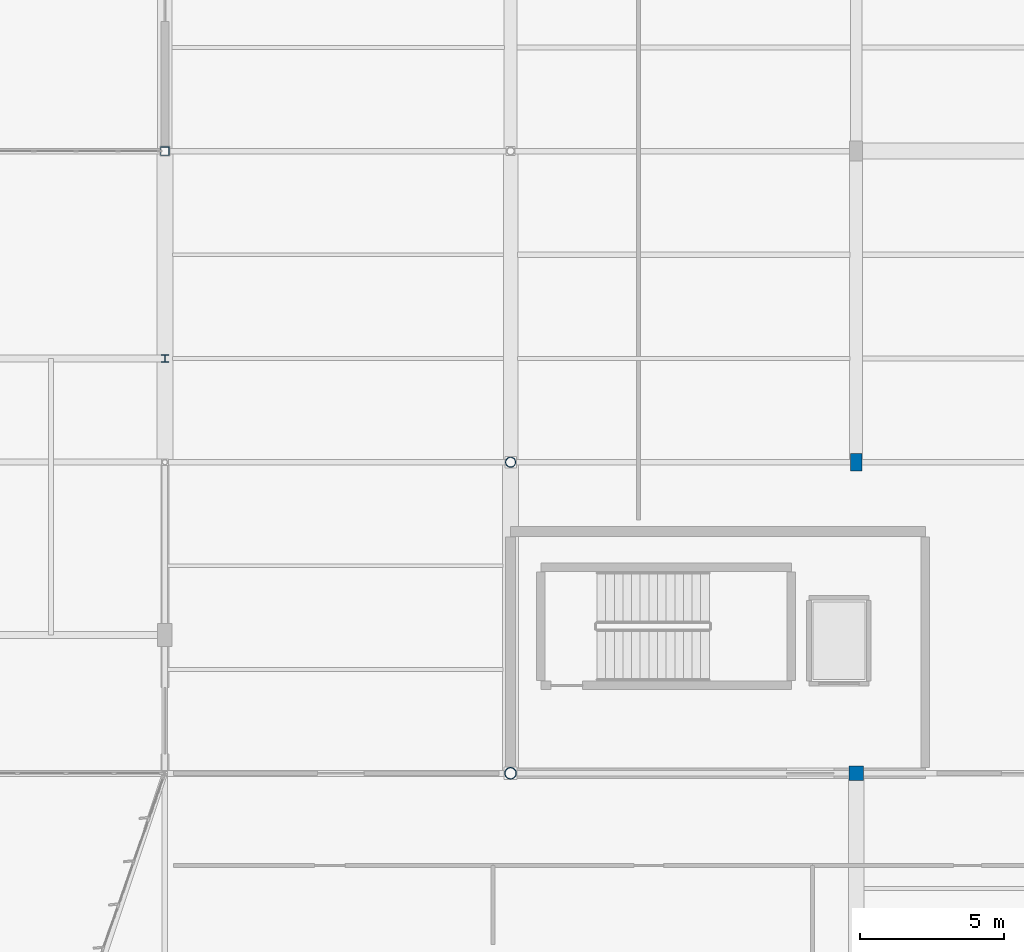
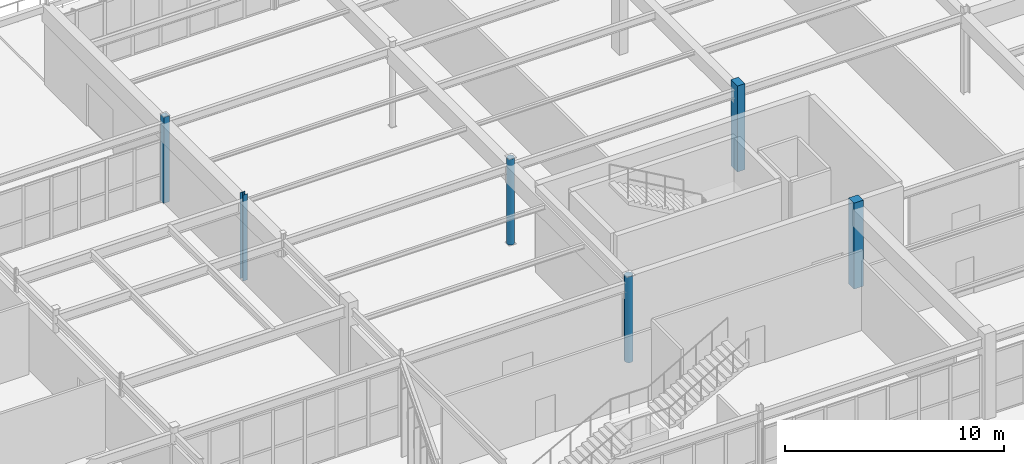
# One storey, part 57 of 199: 6 columns.
"""IFC4 building model written with IfcOpenShell, lengths in metres."""

from ifc_helpers import new_model, si_unit, direction, frame, origin, origin_2d, place, context, subcontext, project, spatial, rectangle, hollow_rectangle, hollow_circle, i_section, extrude, material, material_profile, profile_set, type_object, element, save


model = new_model("IFC4")

# Units and contexts
model_context = context("Model", 3, precision=1e-05, world=origin(), true_north=direction((0.0, 1.0)))
body_context = subcontext(model_context, "Body", "Model", "MODEL_VIEW")
ifc_project = project(units=[si_unit("LENGTHUNIT", "METRE"), si_unit("AREAUNIT", "SQUARE_METRE"), si_unit("VOLUMEUNIT", "CUBIC_METRE"), si_unit("PLANEANGLEUNIT", "RADIAN"), si_unit("MASSUNIT", "GRAM", prefix="KILO")], contexts=[model_context])

# Site, building, storey
site_placement = place(None, origin())
site = spatial("IfcSite", under=ifc_project, at=site_placement, CompositionType="ELEMENT")
building_placement = place(site_placement, origin())
building = spatial("IfcBuilding", under=site, at=building_placement, Name="Tarnwether General Hospital", CompositionType="ELEMENT")
storey_placement = place(building_placement, origin())
storey = spatial("IfcBuildingStorey", under=building, at=storey_placement, Name="L00", CompositionType="ELEMENT", Elevation=0.0)

# Columns
ifc_material_1 = material(Name="Steel Grade C350L0 (350 MPa)", Category="steel")
ifc_material_profile_1 = material_profile(ifc_material_1, hollow_circle(Radius=0.203125, WallThickness=0.01611328125, at=origin_2d()), Name="CHS406.4x16.0")
ifc_profile_set_1 = profile_set([ifc_material_profile_1], Name="Steel Grade C350L0 (350 MPa)")
column_type_1 = type_object("IfcColumnType", Name="COL-10", PredefinedType="COLUMN", material=ifc_profile_set_1)
column_1_placement = place(storey_placement, frame((156.0, 93.60009765625, 0.0), z_axis=(0.0, 0.0, 1.0), x_axis=(0.0, 1.0, 0.0)))
element("IfcColumn", 1, at=column_1_placement, inside=storey, type_object=column_type_1, Name="Column COLG-L00-15600_9360", PredefinedType="COLUMN", context=body_context, shape_type="SweptSolid", body=[
    extrude(hollow_circle(Radius=0.203125, WallThickness=0.01611328125, at=origin_2d()), origin(), (0.0, 0.0, 1.0), 4.800048828125),
])
ifc_material_2 = material(Name="Steel Grade C350L0 (350 MPa)", Category="steel")
ifc_material_profile_2 = material_profile(ifc_material_2, hollow_circle(Radius=0.177734375, WallThickness=0.0126953125, at=origin_2d()), Name="CHS355.6x12.7")
ifc_profile_set_2 = profile_set([ifc_material_profile_2], Name="Steel Grade C350L0 (350 MPa)")
column_type_2 = type_object("IfcColumnType", Name="COL-11", PredefinedType="COLUMN", material=ifc_profile_set_2)
column_2_placement = place(storey_placement, frame((156.0, 104.39990234375, 0.0), z_axis=(0.0, 0.0, 1.0), x_axis=(0.0, 1.0, 0.0)))
element("IfcColumn", 2, at=column_2_placement, inside=storey, type_object=column_type_2, Name="Column COLG-L00-15600_10440", PredefinedType="COLUMN", context=body_context, shape_type="SweptSolid", body=[
    extrude(hollow_circle(Radius=0.177734375, WallThickness=0.0126953125, at=origin_2d()), origin(), (0.0, 0.0, 1.0), 4.800048828125),
])
ifc_material_3 = material(Name="Concrete 50 MPa", Category="concrete")
ifc_material_profile_3 = material_profile(ifc_material_3, rectangle(XDim=0.5, YDim=0.5, at=origin_2d()), Name="RC-COL-500x500")
ifc_profile_set_3 = profile_set([ifc_material_profile_3], Name="Concrete 50 MPa")
column_type_3 = type_object("IfcColumnType", Name="COL-20", PredefinedType="COLUMN", material=ifc_profile_set_3)
column_3_placement = place(storey_placement, frame((168.0, 93.60009765625, 0.0), z_axis=(0.0, 0.0, 1.0), x_axis=(1.0, 0.0, 0.0)))
element("IfcColumn", 3, at=column_3_placement, inside=storey, type_object=column_type_3, Name="Column COLG-L00-16800_9360", PredefinedType="COLUMN", context=body_context, shape_type="SweptSolid", body=[
    extrude(rectangle(XDim=0.5, YDim=0.5, at=origin_2d()), origin(), (0.0, 0.0, 1.0), 4.800048828125),
])
ifc_material_4 = material(Name="Concrete 50 MPa", Category="concrete")
ifc_material_profile_4 = material_profile(ifc_material_4, rectangle(XDim=0.39990234375, YDim=0.60009765625, at=origin_2d()), Name="RC-PIL-400x600")
ifc_profile_set_4 = profile_set([ifc_material_profile_4], Name="Concrete 50 MPa")
column_type_4 = type_object("IfcColumnType", Name="COL-21", PredefinedType="PILASTER", material=ifc_profile_set_4)
column_4_placement = place(storey_placement, frame((168.0, 104.39990234375, 0.0), z_axis=(0.0, 0.0, 1.0), x_axis=(1.0, 0.0, 0.0)))
element("IfcColumn", 4, at=column_4_placement, inside=storey, type_object=column_type_4, Name="Column COLG-L00-16800_10440", PredefinedType="PILASTER", context=body_context, shape_type="SweptSolid", body=[
    extrude(rectangle(XDim=0.39990234375, YDim=0.60009765625, at=origin_2d()), origin(), (0.0, 0.0, 1.0), 4.800048828125),
])
ifc_material_5 = material(Name="Steel Grade 350 (350 MPa)", Category="steel")
ifc_material_profile_5 = material_profile(ifc_material_5, i_section(OverallWidth=0.25390625, OverallDepth=0.25390625, WebThickness=0.008544921875, FlangeThickness=0.01416015625, at=origin_2d()), Name="250UC72.9")
ifc_profile_set_5 = profile_set([ifc_material_profile_5], Name="Steel Grade 350 (350 MPa)")
column_type_5 = type_object("IfcColumnType", Name="COL-24", PredefinedType="COLUMN", material=ifc_profile_set_5)
column_5_placement = place(storey_placement, frame((144.0, 108.0, 0.0), z_axis=(0.0, 0.0, 1.0), x_axis=(1.0, 0.0, 0.0)))
element("IfcColumn", 5, at=column_5_placement, inside=storey, type_object=column_type_5, Name="Column COLG-L00-14400_10800", PredefinedType="COLUMN", context=body_context, shape_type="SweptSolid", body=[
    extrude(i_section(OverallWidth=0.25390625, OverallDepth=0.25390625, WebThickness=0.008544921875, FlangeThickness=0.01416015625, at=origin_2d()), origin(), (0.0, 0.0, 1.0), 4.800048828125),
])
ifc_material_6 = material(Name="Steel Grade C350L0 (350 MPa)", Category="steel")
ifc_material_profile_6 = material_profile(ifc_material_6, hollow_rectangle(XDim=0.300048828125, YDim=0.300048828125, WallThickness=0.012451171875, at=origin_2d()), Name="SHS300x300x12.5")
ifc_profile_set_6 = profile_set([ifc_material_profile_6], Name="Steel Grade C350L0 (350 MPa)")
column_type_6 = type_object("IfcColumnType", Name="COL-30", PredefinedType="COLUMN", material=ifc_profile_set_6)
column_6_placement = place(storey_placement, frame((144.0, 115.199951171875, 0.0), z_axis=(0.0, 0.0, 1.0), x_axis=(1.0, 0.0, 0.0)))
element("IfcColumn", 6, at=column_6_placement, inside=storey, type_object=column_type_6, Name="Column COLG-L00-14400_11520", PredefinedType="COLUMN", context=body_context, shape_type="SweptSolid", body=[
    extrude(hollow_rectangle(XDim=0.300048828125, YDim=0.300048828125, WallThickness=0.012451171875, at=origin_2d()), origin(), (0.0, 0.0, 1.0), 4.800048828125),
])

save(model, "model.ifc")
